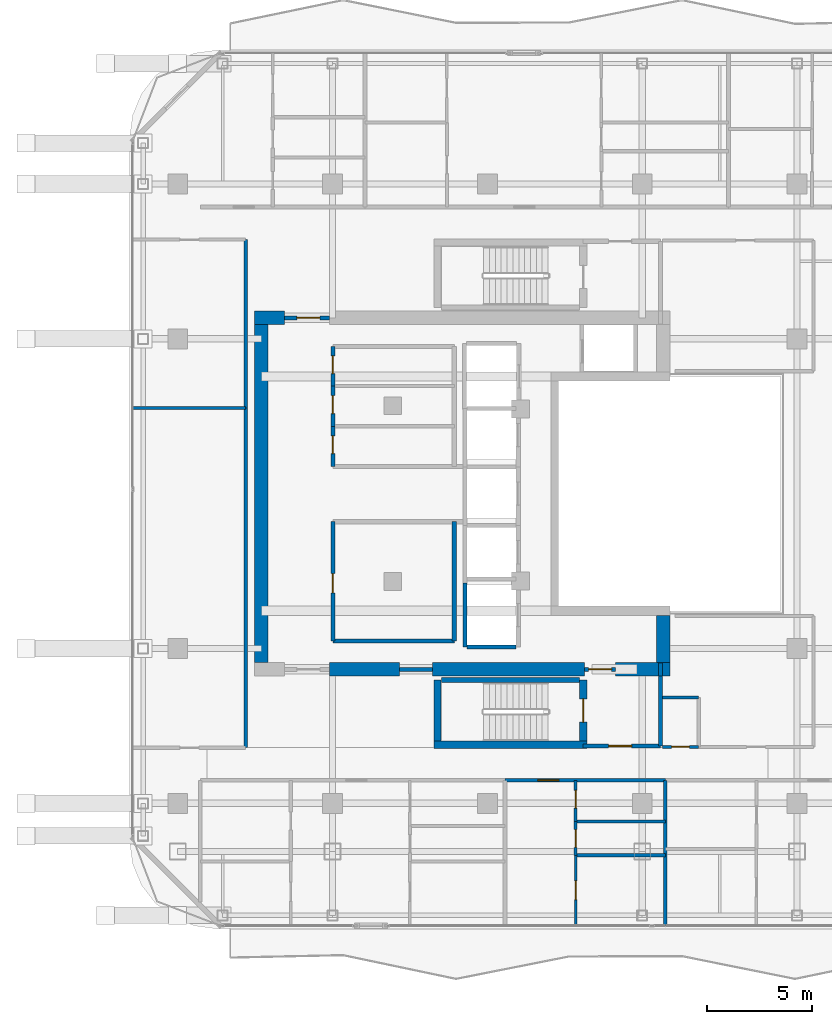
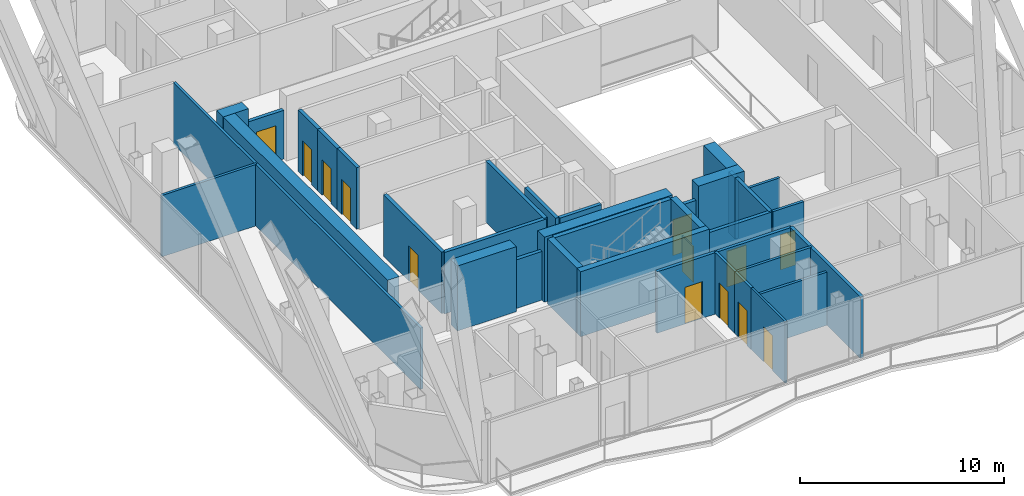
# One storey, part 21 of 27: 36 walls, 13 doors, 13 openings.
"""IFC4 building model written with IfcOpenShell, lengths in metres."""

from ifc_helpers import new_model, si_unit, direction, frame, frame_2d, origin, place, context, subcontext, project, spatial, rectangle, extrude, material, layer, layer_set, type_object, element, fill, save


model = new_model("IFC4")

# Units and contexts
model_context = context("Model", 3, precision=1e-05, world=origin(), true_north=direction((0.0, 1.0)))
body_context = subcontext(model_context, "Body", "Model", "MODEL_VIEW")
ifc_project = project(units=[si_unit("LENGTHUNIT", "METRE"), si_unit("AREAUNIT", "SQUARE_METRE"), si_unit("VOLUMEUNIT", "CUBIC_METRE"), si_unit("PLANEANGLEUNIT", "RADIAN"), si_unit("MASSUNIT", "GRAM", prefix="KILO")], contexts=[model_context])

# Site, building, storey
site_placement = place(None, origin())
site = spatial("IfcSite", under=ifc_project, at=site_placement, CompositionType="ELEMENT")
building_placement = place(site_placement, origin())
building = spatial("IfcBuilding", under=site, at=building_placement, Name="Khorvyn Point Tower", CompositionType="ELEMENT")
storey_placement = place(building_placement, frame((0.0, 0.0, 270.300048828125)))
storey = spatial("IfcBuildingStorey", under=building, at=storey_placement, Name="L66", CompositionType="ELEMENT", Elevation=270.300048828125)

# Wall, opening, door
ifc_material_1 = material(Name="Double acoustic gypsum on twin steel stud", Category="steel")
ifc_layer_1 = layer(ifc_material_1, 0.179931640625)
ifc_layer_set_1 = layer_set([ifc_layer_1], Name="Acoustic Double-Stud Apartment Demising Wall 180")
wall_type_1 = type_object("IfcWallType", Name="Acoustic Double-Stud Apartment Demising Wall 180", PredefinedType="PARTITIONING", material=ifc_layer_set_1)
wall_1_placement = place(storey_placement, frame((0.845947265625, -13.699951171875, 0.0), z_axis=(0.0, 0.0, 1.0), x_axis=(1.0, 0.0, 0.0)))
wall_1 = element("IfcWall", 1, at=wall_1_placement, inside=storey, type_object=wall_type_1, Name="Wall", PredefinedType="PARTITIONING", context=body_context, shape_type="SweptSolid", body=[
    extrude(rectangle(XDim=7.658935546875, YDim=0.179931640625, at=frame_2d((3.82958984375, 0.0))), origin(), (0.0, 0.0, 1.0), 3.679931640625),
])
opening_1_placement = place(wall_1_placement, frame((1.568603515625, 0.0, 0.0)))
opening_1 = element("IfcOpeningElement", 2, at=opening_1_placement, cuts=wall_1, Name="Opening ID-AP60", PredefinedType="OPENING", context=body_context, shape_type="SweptSolid", body=[
    extrude(rectangle(XDim=1.0, YDim=2.199951171875, at=frame_2d((0.5, 1.10009765625))), frame((0.0, 0.099853515625, 0.0), z_axis=(0.0, -1.0, 0.0), x_axis=(1.0, 0.0, 0.0)), (0.0, 0.0, 1.0), 0.199951171875),
])
ifc_material_2 = material(Name="Engineered hardwood fire-rated leaf", Category="wood")
door_type_1 = type_object("IfcDoorType", Name="Acoustic Solid-Core Timber Apartment Entrance Door 1000x2200", OperationType="NOTDEFINED", PredefinedType="DOOR", material=ifc_material_2)
door_1_placement = place(opening_1_placement, origin())
door_1 = element("IfcDoor", 3, at=door_1_placement, inside=storey, type_object=door_type_1, Name="Door", OperationType="SINGLE_SWING_RIGHT", OverallHeight=2.199951171875, OverallWidth=1.0, PredefinedType="DOOR", context=body_context, shape_type="SweptSolid", body=[
    extrude(rectangle(XDim=1.0, YDim=2.199951171875, at=frame_2d((0.5, 1.10009765625))), frame((0.0, 0.02490234375, 0.0), z_axis=(0.0, -1.0, 0.0), x_axis=(1.0, 0.0, 0.0)), (0.0, 0.0, 1.0), 0.050048828125),
])
fill(opening_1, door_1)

# Walls
wall_2_placement = place(storey_placement, frame((8.5048828125, -20.6298828125, 0.0), z_axis=(0.0, 0.0, 1.0), x_axis=(0.0, 1.0, 0.0)))
element("IfcWall", 4, at=wall_2_placement, inside=storey, type_object=wall_type_1, Name="Wall", PredefinedType="PARTITIONING", context=body_context, shape_type="SweptSolid", body=[
    extrude(rectangle(XDim=6.929931640625, YDim=0.179931640625, at=frame_2d((3.46484375, 0.0))), origin(), (0.0, 0.0, 1.0), 3.679931640625),
])
ifc_material_3 = material(Name="Concrete C40/50", Category="concrete")
ifc_layer_2 = layer(ifc_material_3, 0.64990234375)
ifc_layer_set_2 = layer_set([ifc_layer_2], Name="Concrete C40/50 Core Shear Wall 650")
wall_type_2 = type_object("IfcWallType", Name="Concrete C40/50 Core Shear Wall 650", PredefinedType="SHEAR", material=ifc_layer_set_2)
wall_3_placement = place(storey_placement, frame((-7.550048828125, -8.39990234375, 0.0), z_axis=(0.0, 0.0, 1.0), x_axis=(1.0, 0.0, 0.0)))
element("IfcWall", 5, at=wall_3_placement, inside=storey, type_object=wall_type_2, Name="Wall", PredefinedType="SHEAR", context=body_context, shape_type="SweptSolid", body=[
    extrude(rectangle(XDim=3.35009765625, YDim=0.64990234375, at=frame_2d((1.675048828125, 0.0))), origin(), (0.0, 0.0, 1.0), 3.89990234375),
])
wall_4_placement = place(storey_placement, frame((-2.6201171875, -8.39990234375, 0.0), z_axis=(0.0, 0.0, 1.0), x_axis=(1.0, 0.0, 0.0)))
element("IfcWall", 6, at=wall_4_placement, inside=storey, type_object=wall_type_2, Name="Wall", PredefinedType="SHEAR", context=body_context, shape_type="SweptSolid", body=[
    extrude(rectangle(XDim=7.27001953125, YDim=0.64990234375, at=frame_2d((3.635009765625, 0.0))), origin(), (0.0, 0.0, 1.0), 3.89990234375),
])
wall_5_placement = place(storey_placement, frame((6.1201171875, -8.39990234375, 0.0), z_axis=(0.0, 0.0, 1.0), x_axis=(1.0, 0.0, 0.0)))
element("IfcWall", 7, at=wall_5_placement, inside=storey, type_object=wall_type_2, Name="Wall", PredefinedType="SHEAR", context=body_context, shape_type="SweptSolid", body=[
    extrude(rectangle(XDim=2.60498046875, YDim=0.64990234375, at=frame_2d((1.302490234375, 0.0))), origin(), (0.0, 0.0, 1.0), 3.89990234375),
])
wall_6_placement = place(storey_placement, frame((-11.125, 8.39990234375, 0.0), z_axis=(0.0, 0.0, 1.0), x_axis=(1.0, 0.0, 0.0)))
element("IfcWall", 8, at=wall_6_placement, inside=storey, type_object=wall_type_2, Name="Wall", PredefinedType="SHEAR", context=body_context, shape_type="SweptSolid", body=[
    extrude(rectangle(XDim=1.425048828125, YDim=0.64990234375, at=frame_2d((0.71240234375, 0.0))), origin(), (0.0, 0.0, 1.0), 3.89990234375),
])
wall_7_placement = place(storey_placement, frame((-10.800048828125, -8.074951171875, 0.0), z_axis=(0.0, 0.0, 1.0), x_axis=(0.0, 1.0, 0.0)))
element("IfcWall", 9, at=wall_7_placement, inside=storey, type_object=wall_type_2, Name="Wall", PredefinedType="SHEAR", context=body_context, shape_type="SweptSolid", body=[
    extrude(rectangle(XDim=16.14990234375, YDim=0.64990234375, at=frame_2d((8.074951171875, 0.0))), origin(), (0.0, 0.0, 1.0), 3.89990234375),
])
wall_8_placement = place(storey_placement, frame((8.39990234375, -8.074951171875, 0.0), z_axis=(0.0, 0.0, 1.0), x_axis=(0.0, 1.0, 0.0)))
element("IfcWall", 10, at=wall_8_placement, inside=storey, type_object=wall_type_2, Name="Wall", PredefinedType="SHEAR", context=body_context, shape_type="SweptSolid", body=[
    extrude(rectangle(XDim=2.25, YDim=0.64990234375, at=frame_2d((1.125, 0.0))), origin(), (0.0, 0.0, 1.0), 3.89990234375),
])

# Wall, opening, door
ifc_layer_3 = layer(ifc_material_3, 0.199951171875)
ifc_layer_set_3 = layer_set([ifc_layer_3], Name="Concrete C40/50 Fire-Lobby Compartment Wall 200")
wall_type_3 = type_object("IfcWallType", Name="Concrete C40/50 Fire-Lobby Compartment Wall 200", PredefinedType="SOLIDWALL", material=ifc_layer_set_3)
wall_9_placement = place(storey_placement, frame((4.580078125, -12.06005859375, 0.0), z_axis=(0.0, 0.0, 1.0), x_axis=(1.0, 0.0, 0.0)))
wall_9 = element("IfcWall", 11, at=wall_9_placement, inside=storey, type_object=wall_type_3, Name="Wall", PredefinedType="SOLIDWALL", context=body_context, shape_type="SweptSolid", body=[
    extrude(rectangle(XDim=3.699951171875, YDim=0.199951171875, at=frame_2d((1.85009765625, 0.0))), origin(), (0.0, 0.0, 1.0), 3.679931640625),
])
opening_2_placement = place(wall_9_placement, frame((1.21240234375, 0.0, 0.0)))
opening_2 = element("IfcOpeningElement", 12, at=opening_2_placement, cuts=wall_9, Name="Opening ID-FL90", PredefinedType="OPENING", context=body_context, shape_type="SweptSolid", body=[
    extrude(rectangle(XDim=1.10009765625, YDim=2.14990234375, at=frame_2d((0.550048828125, 1.074951171875))), frame((0.0, 0.10986328125, 0.0), z_axis=(0.0, -1.0, 0.0), x_axis=(1.0, 0.0, 0.0)), (0.0, 0.0, 1.0), 0.219970703125),
])
ifc_material_4 = material(Name="Galvanised powder-coated steel", Category="steel")
door_type_2 = type_object("IfcDoorType", Name="Fire-Rated Steel Lobby and Stair Door 1100x2150", OperationType="NOTDEFINED", PredefinedType="DOOR", material=ifc_material_4)
door_2_placement = place(opening_2_placement, origin())
door_2 = element("IfcDoor", 13, at=door_2_placement, inside=storey, type_object=door_type_2, Name="Door", OperationType="SINGLE_SWING_LEFT", OverallHeight=2.14990234375, OverallWidth=1.10009765625, PredefinedType="DOOR", context=body_context, shape_type="SweptSolid", body=[
    extrude(rectangle(XDim=1.10009765625, YDim=2.14990234375, at=frame_2d((0.550048828125, 1.074951171875))), frame((0.0, 0.02490234375, 0.0), z_axis=(0.0, -1.0, 0.0), x_axis=(1.0, 0.0, 0.0)), (0.0, 0.0, 1.0), 0.050048828125),
])
fill(opening_2, door_2)

wall_10_placement = place(storey_placement, frame((4.64990234375, -8.39990234375, 0.0), z_axis=(0.0, 0.0, 1.0), x_axis=(1.0, 0.0, 0.0)))
wall_10 = element("IfcWall", 14, at=wall_10_placement, inside=storey, type_object=wall_type_3, Name="Wall", PredefinedType="SOLIDWALL", context=body_context, shape_type="SweptSolid", body=[
    extrude(rectangle(XDim=1.47021484375, YDim=0.199951171875, at=frame_2d((0.735107421875, 0.0))), origin(), (0.0, 0.0, 1.0), 2.919921875),
])
opening_3_placement = place(wall_10_placement, frame((0.18505859375, 0.0, 0.0)))
opening_3 = element("IfcOpeningElement", 15, at=opening_3_placement, cuts=wall_10, Name="Opening ID-FL90", PredefinedType="OPENING", context=body_context, shape_type="SweptSolid", body=[
    extrude(rectangle(XDim=1.10009765625, YDim=2.14990234375, at=frame_2d((0.550048828125, 1.074951171875))), frame((0.0, 0.10986328125, 0.0), z_axis=(0.0, -1.0, 0.0), x_axis=(1.0, 0.0, 0.0)), (0.0, 0.0, 1.0), 0.219970703125),
])
door_3_placement = place(opening_3_placement, origin())
door_3 = element("IfcDoor", 16, at=door_3_placement, inside=storey, type_object=door_type_2, Name="Door", OperationType="SINGLE_SWING_RIGHT", OverallHeight=2.14990234375, OverallWidth=1.10009765625, PredefinedType="DOOR", context=body_context, shape_type="SweptSolid", body=[
    extrude(rectangle(XDim=1.10009765625, YDim=2.14990234375, at=frame_2d((0.550048828125, 1.074951171875))), frame((0.0, 0.02490234375, 0.0), z_axis=(0.0, -1.0, 0.0), x_axis=(1.0, 0.0, 0.0)), (0.0, 0.0, 1.0), 0.050048828125),
])
fill(opening_3, door_3)

wall_11_placement = place(storey_placement, frame((-9.699951171875, 8.39990234375, 0.0), z_axis=(0.0, 0.0, 1.0), x_axis=(1.0, 0.0, 0.0)))
wall_11 = element("IfcWall", 17, at=wall_11_placement, inside=storey, type_object=wall_type_3, Name="Wall", PredefinedType="SOLIDWALL", context=body_context, shape_type="SweptSolid", body=[
    extrude(rectangle(XDim=2.14990234375, YDim=0.199951171875, at=frame_2d((1.074951171875, 0.0))), origin(), (0.0, 0.0, 1.0), 2.919921875),
])
opening_4_placement = place(wall_11_placement, frame((0.597900390625, 0.0, 0.0)))
opening_4 = element("IfcOpeningElement", 18, at=opening_4_placement, cuts=wall_11, Name="Opening ID-FL90", PredefinedType="OPENING", context=body_context, shape_type="SweptSolid", body=[
    extrude(rectangle(XDim=1.10009765625, YDim=2.14990234375, at=frame_2d((0.550048828125, 1.074951171875))), frame((0.0, 0.10986328125, 0.0), z_axis=(0.0, -1.0, 0.0), x_axis=(1.0, 0.0, 0.0)), (0.0, 0.0, 1.0), 0.219970703125),
])
door_4_placement = place(opening_4_placement, origin())
door_4 = element("IfcDoor", 19, at=door_4_placement, inside=storey, type_object=door_type_2, Name="Door", OperationType="SINGLE_SWING_LEFT", OverallHeight=2.14990234375, OverallWidth=1.10009765625, PredefinedType="DOOR", context=body_context, shape_type="SweptSolid", body=[
    extrude(rectangle(XDim=1.10009765625, YDim=2.14990234375, at=frame_2d((0.550048828125, 1.074951171875))), frame((0.0, 0.02490234375, 0.0), z_axis=(0.0, -1.0, 0.0), x_axis=(1.0, 0.0, 0.0)), (0.0, 0.0, 1.0), 0.050048828125),
])
fill(opening_4, door_4)

wall_12_placement = place(storey_placement, frame((-7.3798828125, -7.0400390625, 0.0), z_axis=(0.0, 0.0, 1.0), x_axis=(0.0, 1.0, 0.0)))
wall_12 = element("IfcWall", 20, at=wall_12_placement, inside=storey, type_object=wall_type_3, Name="Wall", PredefinedType="SOLIDWALL", context=body_context, shape_type="SweptSolid", body=[
    extrude(rectangle(XDim=5.699951171875, YDim=0.199951171875, at=frame_2d((2.85009765625, 0.0))), origin(), (0.0, 0.0, 1.0), 3.679931640625),
])
opening_5_placement = place(wall_12_placement, frame((2.30078125, 0.0, 0.0)))
opening_5 = element("IfcOpeningElement", 21, at=opening_5_placement, cuts=wall_12, Name="Opening ID-RS60", PredefinedType="OPENING", context=body_context, shape_type="SweptSolid", body=[
    extrude(rectangle(XDim=0.919921875, YDim=2.10009765625, at=frame_2d((0.4599609375, 1.050048828125))), frame((0.0, 0.10986328125, 0.0), z_axis=(0.0, -1.0, 0.0), x_axis=(1.0, 0.0, 0.0)), (0.0, 0.0, 1.0), 0.219970703125),
])
door_type_3 = type_object("IfcDoorType", Name="Fire-Rated Riser and Store Steel Door 920x2100", OperationType="NOTDEFINED", PredefinedType="DOOR", material=ifc_material_4)
door_5_placement = place(opening_5_placement, origin())
door_5 = element("IfcDoor", 22, at=door_5_placement, inside=storey, type_object=door_type_3, Name="Door", OperationType="SINGLE_SWING_RIGHT", OverallHeight=2.10009765625, OverallWidth=0.919921875, PredefinedType="DOOR", context=body_context, shape_type="SweptSolid", body=[
    extrude(rectangle(XDim=0.919921875, YDim=2.10009765625, at=frame_2d((0.4599609375, 1.050048828125))), frame((0.0, 0.02490234375, 0.0), z_axis=(0.0, -1.0, 0.0), x_axis=(1.0, 0.0, 0.0)), (0.0, 0.0, 1.0), 0.050048828125),
])
fill(opening_5, door_5)

wall_13_placement = place(storey_placement, frame((-7.3798828125, 1.300048828125, 0.0), z_axis=(0.0, 0.0, 1.0), x_axis=(0.0, 1.0, 0.0)))
wall_13 = element("IfcWall", 23, at=wall_13_placement, inside=storey, type_object=wall_type_3, Name="Wall", PredefinedType="SOLIDWALL", context=body_context, shape_type="SweptSolid", body=[
    extrude(rectangle(XDim=1.919921875, YDim=0.199951171875, at=frame_2d((0.9599609375, 0.0))), origin(), (0.0, 0.0, 1.0), 3.679931640625),
])
opening_6_placement = place(wall_13_placement, frame((0.610107421875, 0.0, 0.0)))
opening_6 = element("IfcOpeningElement", 24, at=opening_6_placement, cuts=wall_13, Name="Opening ID-WC85", PredefinedType="OPENING", context=body_context, shape_type="SweptSolid", body=[
    extrude(rectangle(XDim=0.85009765625, YDim=2.10009765625, at=frame_2d((0.425048828125, 1.050048828125))), frame((0.0, 0.10986328125, 0.0), z_axis=(0.0, -1.0, 0.0), x_axis=(1.0, 0.0, 0.0)), (0.0, 0.0, 1.0), 0.219970703125),
])
ifc_material_5 = material(Name="High-pressure laminate on moisture-resistant core", Category="wood")
door_type_4 = type_object("IfcDoorType", Name="Moisture-Resistant Accessible Washroom Door 850x2100", OperationType="NOTDEFINED", PredefinedType="DOOR", material=ifc_material_5)
door_6_placement = place(opening_6_placement, origin())
door_6 = element("IfcDoor", 25, at=door_6_placement, inside=storey, type_object=door_type_4, Name="Door", OperationType="SINGLE_SWING_LEFT", OverallHeight=2.10009765625, OverallWidth=0.85009765625, PredefinedType="DOOR", context=body_context, shape_type="SweptSolid", body=[
    extrude(rectangle(XDim=0.85009765625, YDim=2.10009765625, at=frame_2d((0.425048828125, 1.050048828125))), frame((0.0, 0.02490234375, 0.0), z_axis=(0.0, -1.0, 0.0), x_axis=(1.0, 0.0, 0.0)), (0.0, 0.0, 1.0), 0.050048828125),
])
fill(opening_6, door_6)

wall_14_placement = place(storey_placement, frame((-7.3798828125, 3.219970703125, 0.0), z_axis=(0.0, 0.0, 1.0), x_axis=(0.0, 1.0, 0.0)))
wall_14 = element("IfcWall", 26, at=wall_14_placement, inside=storey, type_object=wall_type_3, Name="Wall", PredefinedType="SOLIDWALL", context=body_context, shape_type="SweptSolid", body=[
    extrude(rectangle(XDim=1.919921875, YDim=0.199951171875, at=frame_2d((0.9599609375, 0.0))), origin(), (0.0, 0.0, 1.0), 3.679931640625),
])
opening_7_placement = place(wall_14_placement, frame((0.610107421875, 0.0, 0.0)))
opening_7 = element("IfcOpeningElement", 27, at=opening_7_placement, cuts=wall_14, Name="Opening ID-WC85", PredefinedType="OPENING", context=body_context, shape_type="SweptSolid", body=[
    extrude(rectangle(XDim=0.85009765625, YDim=2.10009765625, at=frame_2d((0.425048828125, 1.050048828125))), frame((0.0, 0.10986328125, 0.0), z_axis=(0.0, -1.0, 0.0), x_axis=(1.0, 0.0, 0.0)), (0.0, 0.0, 1.0), 0.219970703125),
])
door_7_placement = place(opening_7_placement, origin())
door_7 = element("IfcDoor", 28, at=door_7_placement, inside=storey, type_object=door_type_4, Name="Door", OperationType="SINGLE_SWING_RIGHT", OverallHeight=2.10009765625, OverallWidth=0.85009765625, PredefinedType="DOOR", context=body_context, shape_type="SweptSolid", body=[
    extrude(rectangle(XDim=0.85009765625, YDim=2.10009765625, at=frame_2d((0.425048828125, 1.050048828125))), frame((0.0, 0.02490234375, 0.0), z_axis=(0.0, -1.0, 0.0), x_axis=(1.0, 0.0, 0.0)), (0.0, 0.0, 1.0), 0.050048828125),
])
fill(opening_7, door_7)

wall_15_placement = place(storey_placement, frame((-7.3798828125, 5.139892578125, 0.0), z_axis=(0.0, 0.0, 1.0), x_axis=(0.0, 1.0, 0.0)))
wall_15 = element("IfcWall", 29, at=wall_15_placement, inside=storey, type_object=wall_type_3, Name="Wall", PredefinedType="SOLIDWALL", context=body_context, shape_type="SweptSolid", body=[
    extrude(rectangle(XDim=1.900146484375, YDim=0.199951171875, at=frame_2d((0.9501953125, 0.0))), origin(), (0.0, 0.0, 1.0), 3.679931640625),
])
opening_8_placement = place(wall_15_placement, frame((0.597900390625, 0.0, 0.0)))
opening_8 = element("IfcOpeningElement", 30, at=opening_8_placement, cuts=wall_15, Name="Opening ID-WC85", PredefinedType="OPENING", context=body_context, shape_type="SweptSolid", body=[
    extrude(rectangle(XDim=0.85009765625, YDim=2.10009765625, at=frame_2d((0.425048828125, 1.050048828125))), frame((0.0, 0.10986328125, 0.0), z_axis=(0.0, -1.0, 0.0), x_axis=(1.0, 0.0, 0.0)), (0.0, 0.0, 1.0), 0.219970703125),
])
door_8_placement = place(opening_8_placement, origin())
door_8 = element("IfcDoor", 31, at=door_8_placement, inside=storey, type_object=door_type_4, Name="Door", OperationType="SINGLE_SWING_LEFT", OverallHeight=2.10009765625, OverallWidth=0.85009765625, PredefinedType="DOOR", context=body_context, shape_type="SweptSolid", body=[
    extrude(rectangle(XDim=0.85009765625, YDim=2.10009765625, at=frame_2d((0.425048828125, 1.050048828125))), frame((0.0, 0.02490234375, 0.0), z_axis=(0.0, -1.0, 0.0), x_axis=(1.0, 0.0, 0.0)), (0.0, 0.0, 1.0), 0.050048828125),
])
fill(opening_8, door_8)

# Walls
wall_16_placement = place(storey_placement, frame((8.280029296875, -12.06005859375, 0.0), z_axis=(0.0, 0.0, 1.0), x_axis=(0.0, 1.0, 0.0)))
element("IfcWall", 32, at=wall_16_placement, inside=storey, type_object=wall_type_3, Name="Wall", PredefinedType="SOLIDWALL", context=body_context, shape_type="SweptSolid", body=[
    extrude(rectangle(XDim=3.3349609375, YDim=0.199951171875, at=frame_2d((1.66748046875, 0.0))), origin(), (0.0, 0.0, 1.0), 3.679931640625),
])
wall_17_placement = place(storey_placement, frame((-4.199951171875, -8.39990234375, 0.0), z_axis=(0.0, 0.0, 1.0), x_axis=(1.0, 0.0, 0.0)))
element("IfcWall", 33, at=wall_17_placement, inside=storey, type_object=wall_type_3, Name="Wall", PredefinedType="SOLIDWALL", context=body_context, shape_type="SweptSolid", body=[
    extrude(rectangle(XDim=1.579833984375, YDim=0.199951171875, at=frame_2d((0.7900390625, 0.0))), origin(), (0.0, 0.0, 1.0), 2.919921875),
])
wall_18_placement = place(storey_placement, frame((-1.580078125, -7.0400390625, 0.0), z_axis=(0.0, 0.0, 1.0), x_axis=(0.0, 1.0, 0.0)))
element("IfcWall", 34, at=wall_18_placement, inside=storey, type_object=wall_type_3, Name="Wall", PredefinedType="SOLIDWALL", context=body_context, shape_type="SweptSolid", body=[
    extrude(rectangle(XDim=5.699951171875, YDim=0.199951171875, at=frame_2d((2.85009765625, 0.0))), origin(), (0.0, 0.0, 1.0), 3.679931640625),
])
wall_19_placement = place(storey_placement, frame((-7.3798828125, -7.0400390625, 0.0), z_axis=(0.0, 0.0, 1.0), x_axis=(1.0, 0.0, 0.0)))
element("IfcWall", 35, at=wall_19_placement, inside=storey, type_object=wall_type_3, Name="Wall", PredefinedType="SOLIDWALL", context=body_context, shape_type="SweptSolid", body=[
    extrude(rectangle(XDim=5.7998046875, YDim=0.199951171875, at=frame_2d((2.89990234375, 0.0))), origin(), (0.0, 0.0, 1.0), 3.679931640625),
])
wall_20_placement = place(storey_placement, frame((8.280029296875, -8.72509765625, 0.0), z_axis=(0.0, 0.0, 1.0), x_axis=(0.0, 1.0, 0.0)))
element("IfcWall", 36, at=wall_20_placement, inside=storey, type_object=wall_type_3, Name="Wall", PredefinedType="SOLIDWALL", context=body_context, shape_type="SweptSolid", body=[
    extrude(rectangle(XDim=0.625, YDim=0.199951171875, at=frame_2d((0.3125, 0.0))), origin(), (0.0, 0.0, 1.0), 3.679931640625),
])
ifc_layer_4 = layer(ifc_material_3, 0.25)
ifc_layer_set_4 = layer_set([ifc_layer_4], Name="Concrete C40/50 Stair Inner Cheek Structural Wall 250")
wall_type_4 = type_object("IfcWallType", Name="Concrete C40/50 Stair Inner Cheek Structural Wall 250", PredefinedType="SHEAR", material=ifc_layer_set_4)
wall_21_placement = place(storey_placement, frame((-2.199951171875, -8.89990234375, 0.0), z_axis=(0.0, 0.0, 1.0), x_axis=(1.0, 0.0, 0.0)))
element("IfcWall", 37, at=wall_21_placement, inside=storey, type_object=wall_type_4, Name="Wall", PredefinedType="SHEAR", context=body_context, shape_type="SweptSolid", body=[
    extrude(rectangle(XDim=6.599853515625, YDim=0.25, at=frame_2d((3.2998046875, 0.0))), origin(), (0.0, 0.0, 1.0), 3.89990234375),
])
ifc_layer_5 = layer(ifc_material_3, 0.35009765625)
ifc_layer_set_5 = layer_set([ifc_layer_5], Name="Concrete C40/50 Stair Shaft Structural Wall 350")
wall_type_5 = type_object("IfcWallType", Name="Concrete C40/50 Stair Shaft Structural Wall 350", PredefinedType="SHEAR", material=ifc_layer_set_5)
wall_22_placement = place(storey_placement, frame((-2.554931640625, -12.0, 0.0), z_axis=(0.0, 0.0, 1.0), x_axis=(1.0, 0.0, 0.0)))
element("IfcWall", 38, at=wall_22_placement, inside=storey, type_object=wall_type_5, Name="L66 ST-01 South Shaft Wall", PredefinedType="SHEAR", context=body_context, shape_type="SweptSolid", body=[
    extrude(rectangle(XDim=7.309814453125, YDim=0.35009765625, at=frame_2d((3.65478515625, 0.0))), origin(), (0.0, 0.0, 1.0), 3.89990234375),
])
wall_23_placement = place(storey_placement, frame((-2.3798828125, -11.824951171875, 0.0), z_axis=(0.0, 0.0, 1.0), x_axis=(0.0, 1.0, 0.0)))
element("IfcWall", 39, at=wall_23_placement, inside=storey, type_object=wall_type_5, Name="L66 ST-01 West Shaft Wall", PredefinedType="SHEAR", context=body_context, shape_type="SweptSolid", body=[
    extrude(rectangle(XDim=2.925048828125, YDim=0.35009765625, at=frame_2d((1.46240234375, 0.0))), origin(), (0.0, 0.0, 1.0), 3.89990234375),
])

# Wall, opening, door
wall_24_placement = place(storey_placement, frame((4.580078125, -8.89990234375, 0.0), z_axis=(0.0, 0.0, 1.0), x_axis=(0.0, -1.0, 0.0)))
wall_24 = element("IfcWall", 40, at=wall_24_placement, inside=storey, type_object=wall_type_5, Name="L66 ST-01 East Landing Door Wall", PredefinedType="SHEAR", context=body_context, shape_type="SweptSolid", body=[
    extrude(rectangle(XDim=2.925048828125, YDim=0.35009765625, at=frame_2d((1.46240234375, 0.0))), origin(), (0.0, 0.0, 1.0), 3.89990234375),
])
opening_9_placement = place(wall_24_placement, frame((0.91259765625, 0.0, 0.0)))
opening_9 = element("IfcOpeningElement", 41, at=opening_9_placement, cuts=wall_24, Name="Opening ID-FL90", PredefinedType="OPENING", context=body_context, shape_type="SweptSolid", body=[
    extrude(rectangle(XDim=1.10009765625, YDim=2.14990234375, at=frame_2d((0.550048828125, 1.074951171875))), frame((0.0, 0.18505859375, 0.0), z_axis=(0.0, -1.0, 0.0), x_axis=(1.0, 0.0, 0.0)), (0.0, 0.0, 1.0), 0.3701171875),
])
door_9_placement = place(opening_9_placement, origin())
door_9 = element("IfcDoor", 42, at=door_9_placement, inside=storey, type_object=door_type_2, Name="L66 ST-01 Smokeproof Landing Door", OperationType="SINGLE_SWING_RIGHT", OverallHeight=2.14990234375, OverallWidth=1.10009765625, PredefinedType="DOOR", context=body_context, shape_type="SweptSolid", body=[
    extrude(rectangle(XDim=1.10009765625, YDim=2.14990234375, at=frame_2d((0.550048828125, 1.074951171875))), frame((0.0, 0.02490234375, 0.0), z_axis=(0.0, -1.0, 0.0), x_axis=(1.0, 0.0, 0.0)), (0.0, 0.0, 1.0), 0.050048828125),
])
fill(opening_9, door_9)

# Walls
ifc_layer_6 = layer(ifc_material_3, 0.199951171875)
ifc_layer_set_6 = layer_set([ifc_layer_6], Name="Concrete C40/50 Structural Hoistway and Stair Shaft Wall 200")
wall_type_6 = type_object("IfcWallType", Name="Concrete C40/50 Structural Hoistway and Stair Shaft Wall 200", PredefinedType="SHEAR", material=ifc_layer_set_6)
wall_25_placement = place(storey_placement, frame((-1.074951171875, -7.324951171875, 0.0), z_axis=(0.0, 0.0, 1.0), x_axis=(0.0, 1.0, 0.0)))
element("IfcWall", 43, at=wall_25_placement, inside=storey, type_object=wall_type_6, Name="Wall", PredefinedType="SHEAR", context=body_context, shape_type="SweptSolid", body=[
    extrude(rectangle(XDim=3.050048828125, YDim=0.199951171875, at=frame_2d((1.52490234375, 0.0))), origin(), (0.0, 0.0, 1.0), 3.679931640625),
])
wall_26_placement = place(storey_placement, frame((-0.97509765625, -7.324951171875, 0.0), z_axis=(0.0, 0.0, 1.0), x_axis=(1.0, 0.0, 0.0)))
element("IfcWall", 44, at=wall_26_placement, inside=storey, type_object=wall_type_6, Name="Wall", PredefinedType="SHEAR", context=body_context, shape_type="SweptSolid", body=[
    extrude(rectangle(XDim=2.35009765625, YDim=0.199951171875, at=frame_2d((1.175048828125, 0.0))), origin(), (0.0, 0.0, 1.0), 3.679931640625),
])

# Wall, opening, door
ifc_material_6 = material(Name="Gypsum plasterboard on steel stud", Category="steel")
ifc_layer_7 = layer(ifc_material_6, 0.1201171875)
ifc_layer_set_7 = layer_set([ifc_layer_7], Name="Gypsum Acoustic Stud Room Partition Wall 120")
wall_type_7 = type_object("IfcWallType", Name="Gypsum Acoustic Stud Room Partition Wall 120", PredefinedType="PARTITIONING", material=ifc_layer_set_7)
wall_27_placement = place(storey_placement, frame((4.216064453125, -20.6298828125, 0.0), z_axis=(0.0, 0.0, 1.0), x_axis=(0.0, 1.0, 0.0)))
wall_27 = element("IfcWall", 45, at=wall_27_placement, inside=storey, type_object=wall_type_7, Name="Wall", PredefinedType="PARTITIONING", context=body_context, shape_type="SweptSolid", body=[
    extrude(rectangle(XDim=3.348876953125, YDim=0.1201171875, at=frame_2d((1.67431640625, 0.0))), origin(), (0.0, 0.0, 1.0), 3.679931640625),
])
opening_10_placement = place(wall_27_placement, frame((1.224609375, 0.0, 0.0)))
opening_10 = element("IfcOpeningElement", 46, at=opening_10_placement, cuts=wall_27, Name="Opening ID-RM90", PredefinedType="OPENING", context=body_context, shape_type="SweptSolid", body=[
    extrude(rectangle(XDim=0.89990234375, YDim=2.10009765625, at=frame_2d((0.449951171875, 1.050048828125))), frame((0.0, 0.070068359375, 0.0), z_axis=(0.0, -1.0, 0.0), x_axis=(1.0, 0.0, 0.0)), (0.0, 0.0, 1.0), 0.14013671875),
])
ifc_material_7 = material(Name="Engineered oak veneer timber", Category="wood")
door_type_5 = type_object("IfcDoorType", Name="Flush Engineered Timber Room Door 900x2100", OperationType="NOTDEFINED", PredefinedType="DOOR", material=ifc_material_7)
door_10_placement = place(opening_10_placement, origin())
door_10 = element("IfcDoor", 47, at=door_10_placement, inside=storey, type_object=door_type_5, Name="Door", OperationType="SINGLE_SWING_LEFT", OverallHeight=2.10009765625, OverallWidth=0.89990234375, PredefinedType="DOOR", context=body_context, shape_type="SweptSolid", body=[
    extrude(rectangle(XDim=0.89990234375, YDim=2.10009765625, at=frame_2d((0.449951171875, 1.050048828125))), frame((0.0, 0.02490234375, 0.0), z_axis=(0.0, -1.0, 0.0), x_axis=(1.0, 0.0, 0.0)), (0.0, 0.0, 1.0), 0.050048828125),
])
fill(opening_10, door_10)

ifc_material_8 = material(Name="Moisture-resistant gypsum and cement board", Category="gypsum")
ifc_layer_8 = layer(ifc_material_8, 0.14990234375)
ifc_layer_set_8 = layer_set([ifc_layer_8], Name="Moisture-Resistant Wet-Room Partition Wall 150")
wall_type_8 = type_object("IfcWallType", Name="Moisture-Resistant Wet-Room Partition Wall 150", PredefinedType="PARTITIONING", material=ifc_layer_set_8)
wall_28_placement = place(storey_placement, frame((8.360107421875, -12.10009765625, 0.0), z_axis=(0.0, 0.0, 1.0), x_axis=(1.0, 0.0, 0.0)))
wall_28 = element("IfcWall", 48, at=wall_28_placement, inside=storey, type_object=wall_type_8, Name="Wall", PredefinedType="PARTITIONING", context=body_context, shape_type="SweptSolid", body=[
    extrude(rectangle(XDim=1.739990234375, YDim=0.14990234375, at=frame_2d((0.8701171875, 0.0))), origin(), (0.0, 0.0, 1.0), 3.679931640625),
])
opening_11_placement = place(wall_28_placement, frame((0.445068359375, 0.0, 0.0)))
opening_11 = element("IfcOpeningElement", 49, at=opening_11_placement, cuts=wall_28, Name="Opening ID-WC85", PredefinedType="OPENING", context=body_context, shape_type="SweptSolid", body=[
    extrude(rectangle(XDim=0.85009765625, YDim=2.10009765625, at=frame_2d((0.425048828125, 1.050048828125))), frame((0.0, 0.0849609375, 0.0), z_axis=(0.0, -1.0, 0.0), x_axis=(1.0, 0.0, 0.0)), (0.0, 0.0, 1.0), 0.169921875),
])
door_11_placement = place(opening_11_placement, origin())
door_11 = element("IfcDoor", 50, at=door_11_placement, inside=storey, type_object=door_type_4, Name="Door", OperationType="SINGLE_SWING_RIGHT", OverallHeight=2.10009765625, OverallWidth=0.85009765625, PredefinedType="DOOR", context=body_context, shape_type="SweptSolid", body=[
    extrude(rectangle(XDim=0.85009765625, YDim=2.10009765625, at=frame_2d((0.425048828125, 1.050048828125))), frame((0.0, 0.02490234375, 0.0), z_axis=(0.0, -1.0, 0.0), x_axis=(1.0, 0.0, 0.0)), (0.0, 0.0, 1.0), 0.050048828125),
])
fill(opening_11, door_11)

wall_29_placement = place(storey_placement, frame((4.216064453125, -15.669921875, 0.0), z_axis=(0.0, 0.0, 1.0), x_axis=(0.0, 1.0, 0.0)))
wall_29 = element("IfcWall", 51, at=wall_29_placement, inside=storey, type_object=wall_type_8, Name="Wall", PredefinedType="PARTITIONING", context=body_context, shape_type="SweptSolid", body=[
    extrude(rectangle(XDim=1.969970703125, YDim=0.14990234375, at=frame_2d((0.98486328125, 0.0))), origin(), (0.0, 0.0, 1.0), 3.679931640625),
])
opening_12_placement = place(wall_29_placement, frame((0.639892578125, 0.0, 0.0)))
opening_12 = element("IfcOpeningElement", 52, at=opening_12_placement, cuts=wall_29, Name="Opening ID-WC85", PredefinedType="OPENING", context=body_context, shape_type="SweptSolid", body=[
    extrude(rectangle(XDim=0.85009765625, YDim=2.10009765625, at=frame_2d((0.425048828125, 1.050048828125))), frame((0.0, 0.0849609375, 0.0), z_axis=(0.0, -1.0, 0.0), x_axis=(1.0, 0.0, 0.0)), (0.0, 0.0, 1.0), 0.169921875),
])
door_12_placement = place(opening_12_placement, origin())
door_12 = element("IfcDoor", 53, at=door_12_placement, inside=storey, type_object=door_type_4, Name="Door", OperationType="SINGLE_SWING_LEFT", OverallHeight=2.10009765625, OverallWidth=0.85009765625, PredefinedType="DOOR", context=body_context, shape_type="SweptSolid", body=[
    extrude(rectangle(XDim=0.85009765625, YDim=2.10009765625, at=frame_2d((0.425048828125, 1.050048828125))), frame((0.0, 0.02490234375, 0.0), z_axis=(0.0, -1.0, 0.0), x_axis=(1.0, 0.0, 0.0)), (0.0, 0.0, 1.0), 0.050048828125),
])
fill(opening_12, door_12)

wall_30_placement = place(storey_placement, frame((4.216064453125, -17.281005859375, 0.0), z_axis=(0.0, 0.0, 1.0), x_axis=(0.0, 1.0, 0.0)))
wall_30 = element("IfcWall", 54, at=wall_30_placement, inside=storey, type_object=wall_type_8, Name="Wall", PredefinedType="PARTITIONING", context=body_context, shape_type="SweptSolid", body=[
    extrude(rectangle(XDim=1.611083984375, YDim=0.14990234375, at=frame_2d((0.8056640625, 0.0))), origin(), (0.0, 0.0, 1.0), 3.679931640625),
])
opening_13_placement = place(wall_30_placement, frame((0.380615234375, 0.0, 0.0)))
opening_13 = element("IfcOpeningElement", 55, at=opening_13_placement, cuts=wall_30, Name="Opening ID-WC85", PredefinedType="OPENING", context=body_context, shape_type="SweptSolid", body=[
    extrude(rectangle(XDim=0.85009765625, YDim=2.10009765625, at=frame_2d((0.425048828125, 1.050048828125))), frame((0.0, 0.0849609375, 0.0), z_axis=(0.0, -1.0, 0.0), x_axis=(1.0, 0.0, 0.0)), (0.0, 0.0, 1.0), 0.169921875),
])
door_13_placement = place(opening_13_placement, origin())
door_13 = element("IfcDoor", 56, at=door_13_placement, inside=storey, type_object=door_type_4, Name="Door", OperationType="SINGLE_SWING_RIGHT", OverallHeight=2.10009765625, OverallWidth=0.85009765625, PredefinedType="DOOR", context=body_context, shape_type="SweptSolid", body=[
    extrude(rectangle(XDim=0.85009765625, YDim=2.10009765625, at=frame_2d((0.425048828125, 1.050048828125))), frame((0.0, 0.02490234375, 0.0), z_axis=(0.0, -1.0, 0.0), x_axis=(1.0, 0.0, 0.0)), (0.0, 0.0, 1.0), 0.050048828125),
])
fill(opening_13, door_13)

# Walls
wall_31_placement = place(storey_placement, frame((8.360107421875, -9.75, 0.0), z_axis=(0.0, 0.0, 1.0), x_axis=(1.0, 0.0, 0.0)))
element("IfcWall", 57, at=wall_31_placement, inside=storey, type_object=wall_type_8, Name="Wall", PredefinedType="PARTITIONING", context=body_context, shape_type="SweptSolid", body=[
    extrude(rectangle(XDim=1.739990234375, YDim=0.14990234375, at=frame_2d((0.8701171875, 0.0))), origin(), (0.0, 0.0, 1.0), 3.679931640625),
])
wall_32_placement = place(storey_placement, frame((4.216064453125, -15.669921875, 0.0), z_axis=(0.0, 0.0, 1.0), x_axis=(1.0, 0.0, 0.0)))
element("IfcWall", 58, at=wall_32_placement, inside=storey, type_object=wall_type_8, Name="Wall", PredefinedType="PARTITIONING", context=body_context, shape_type="SweptSolid", body=[
    extrude(rectangle(XDim=4.288818359375, YDim=0.14990234375, at=frame_2d((2.14453125, 0.0))), origin(), (0.0, 0.0, 1.0), 3.679931640625),
])
wall_33_placement = place(storey_placement, frame((4.216064453125, -17.281005859375, 0.0), z_axis=(0.0, 0.0, 1.0), x_axis=(1.0, 0.0, 0.0)))
element("IfcWall", 59, at=wall_33_placement, inside=storey, type_object=wall_type_8, Name="Wall", PredefinedType="PARTITIONING", context=body_context, shape_type="SweptSolid", body=[
    extrude(rectangle(XDim=4.288818359375, YDim=0.14990234375, at=frame_2d((2.14453125, 0.0))), origin(), (0.0, 0.0, 1.0), 3.181884765625),
])
wall_34_placement = place(storey_placement, frame((-16.929931640625, 4.10009765625, 0.0), z_axis=(0.0, 0.0, 1.0), x_axis=(1.0, 0.0, 0.0)))
element("IfcWall", 60, at=wall_34_placement, inside=storey, type_object=wall_type_8, Name="Wall", PredefinedType="PARTITIONING", context=body_context, shape_type="SweptSolid", body=[
    extrude(rectangle(XDim=5.3798828125, YDim=0.14990234375, at=frame_2d((2.68994140625, 0.0))), origin(), (0.0, 0.0, 1.0), 3.679931640625),
])
wall_35_placement = place(storey_placement, frame((-11.550048828125, -12.139892578125, 0.0), z_axis=(0.0, 0.0, 1.0), x_axis=(0.0, 1.0, 0.0)))
element("IfcWall", 61, at=wall_35_placement, inside=storey, type_object=wall_type_8, Name="Wall", PredefinedType="PARTITIONING", context=body_context, shape_type="SweptSolid", body=[
    extrude(rectangle(XDim=16.239990234375, YDim=0.14990234375, at=frame_2d((8.1201171875, 0.0))), origin(), (0.0, 0.0, 1.0), 3.679931640625),
])
wall_36_placement = place(storey_placement, frame((-11.550048828125, 4.10009765625, 0.0), z_axis=(0.0, 0.0, 1.0), x_axis=(0.0, 1.0, 0.0)))
element("IfcWall", 62, at=wall_36_placement, inside=storey, type_object=wall_type_8, Name="Wall", PredefinedType="PARTITIONING", context=body_context, shape_type="SweptSolid", body=[
    extrude(rectangle(XDim=8.039794921875, YDim=0.14990234375, at=frame_2d((4.02001953125, 0.0))), origin(), (0.0, 0.0, 1.0), 3.679931640625),
])

save(model, "model.ifc")
